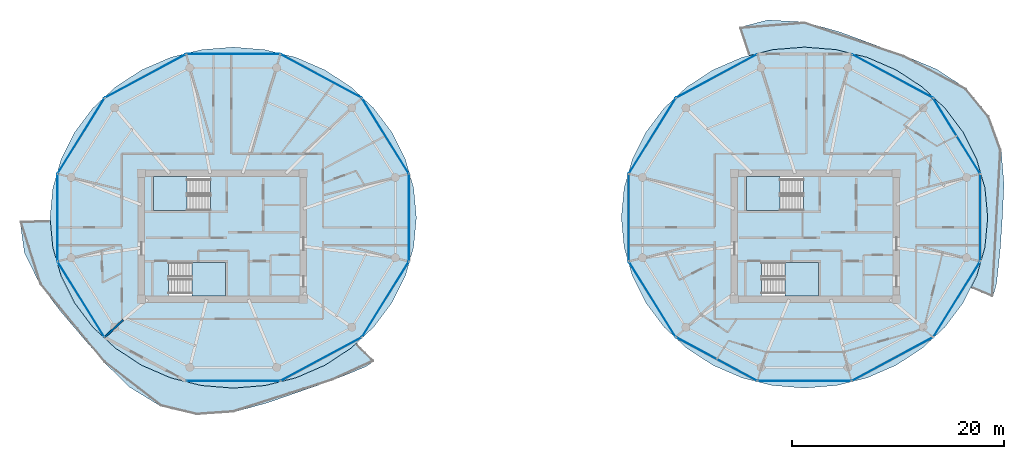
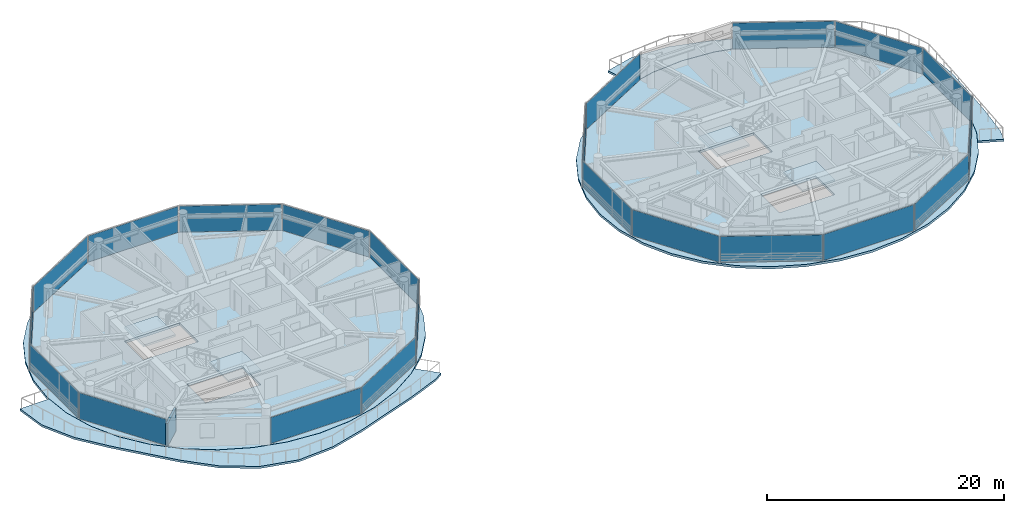
# One storey, part 11 of 22: 22 plates, 8 slabs, 1 wall, 26 elements without a shape of their own.
"""IFC4 building model written with IfcOpenShell, lengths in metres."""

import ifcopenshell
import ifcopenshell.guid

model = None  # the IFC model being written
_history = None  # IfcOwnerHistory: only IFC2X3 demands one
_inside = {}  # id of a spatial element -> (the spatial element, [elements in it])
_under = {}  # id of a project, library or spatial element -> (it, [spatial elements below it])
_declared = {}  # id of a project -> (the project, [libraries it declares])
_typed = {}  # id of a type object -> (the type object, [elements of that type])
_made_of = {}  # id of a material, layer set ... -> (it, [elements and type objects made of it])


def new_model(schema):
    """Start an empty IFC model of exactly this schema.

    Asked for "IFC4X3", IfcOpenShell would pick the latest addendum, in which some entities
    have other attributes; the version numbers below select the first issue.
    IFC2X3 requires an IfcOwnerHistory on every rooted entity: one is made here for all.
    """
    global model, _history
    if schema == "IFC4X3":
        model = ifcopenshell.file(schema_version=(4, 3, 0, 0))
    else:
        model = ifcopenshell.file(schema=schema)
    _inside.clear()
    _under.clear()
    _declared.clear()
    _typed.clear()
    _made_of.clear()
    _history = None
    if model.schema == "IFC2X3":
        org = make("IfcOrganization", Name="unknown")
        user = make(
            "IfcPersonAndOrganization",
            ThePerson=make("IfcPerson", FamilyName="unknown"),
            TheOrganization=org,
        )
        app = make(
            "IfcApplication",
            ApplicationDeveloper=org,
            Version="unknown",
            ApplicationFullName="unknown",
            ApplicationIdentifier="unknown",
        )
        _history = make(
            "IfcOwnerHistory",
            OwningUser=user,
            OwningApplication=app,
            ChangeAction="ADDED",
            CreationDate=0,
        )
    return model


def make(cls, **values):
    """One entity of the class cls with the attributes given. An attribute that is None is left unset."""
    return model.create_entity(
        cls, **{name: value for name, value in values.items() if value is not None}
    )


def rooted(cls, **values):
    """An entity with a GlobalId (a new one), such as an element, a storey or a relation."""
    return make(cls, GlobalId=ifcopenshell.guid.new(), OwnerHistory=_history, **values)


def si_unit(unit_type, name, prefix=None):
    """IfcSIUnit, for example si_unit("LENGTHUNIT", "METRE", prefix="MILLI")."""
    return make("IfcSIUnit", UnitType=unit_type, Prefix=prefix, Name=name)


def assignment(units):
    """IfcUnitAssignment: the units of a project."""
    return None if units is None else make("IfcUnitAssignment", Units=units)


def point(xyz):
    """IfcCartesianPoint."""
    return None if xyz is None else make("IfcCartesianPoint", Coordinates=xyz)


def direction(xyz):
    """IfcDirection."""
    return None if xyz is None else make("IfcDirection", DirectionRatios=xyz)


def frame(location, z_axis=None, x_axis=None):
    """IfcAxis2Placement3D, a coordinate frame: its origin and axes. An axis left out is left unset."""
    return make(
        "IfcAxis2Placement3D",
        Location=point(location),
        Axis=direction(z_axis),
        RefDirection=direction(x_axis),
    )


def frame_2d(location, x_axis=None):
    """IfcAxis2Placement2D, a coordinate frame in the plane: its origin and x axis."""
    return make(
        "IfcAxis2Placement2D", Location=point(location), RefDirection=direction(x_axis)
    )


def origin():
    """The frame at (0, 0, 0) with its axes left unset."""
    return frame((0.0, 0.0, 0.0))


def origin_2d():
    """The frame at (0, 0) in the plane with its x axis left unset."""
    return frame_2d((0.0, 0.0))


def place(relative_to, where):
    """IfcLocalPlacement: puts the frame where relative to a parent placement (None: the world)."""
    return make(
        "IfcLocalPlacement", PlacementRelTo=relative_to, RelativePlacement=where
    )


def context(
    kind, dimensions, precision=None, world=None, true_north=None, identifier=None
):
    """IfcGeometricRepresentationContext, for example the 3D "Model" context."""
    return make(
        "IfcGeometricRepresentationContext",
        ContextIdentifier=identifier,
        ContextType=kind,
        CoordinateSpaceDimension=dimensions,
        Precision=precision,
        WorldCoordinateSystem=world,
        TrueNorth=true_north,
    )


def subcontext(parent, identifier, kind, view, scale=None):
    """IfcGeometricRepresentationSubContext, for example "Body" below "Model"."""
    return make(
        "IfcGeometricRepresentationSubContext",
        ContextIdentifier=identifier,
        ContextType=kind,
        ParentContext=parent,
        TargetScale=scale,
        TargetView=view,
    )


def project(units=None, contexts=None):
    """IfcProject with its units and contexts."""
    return rooted(
        "IfcProject",
        Name="project",
        RepresentationContexts=contexts,
        UnitsInContext=assignment(units),
    )


def spatial(cls, under=None, at=None, **own):
    """A site, building, storey or space (cls), placed at a placement, below another one or the project."""
    s = rooted(cls, ObjectPlacement=at, **own)
    if under is not None:
        _under.setdefault(under.id(), (under, []))[1].append(s)
    return s


def polyline(points):
    """IfcPolyline through the points."""
    return make("IfcPolyline", Points=[point(p) for p in points])


def profile(cls, at=None, kind="AREA", **sizes):
    """A parametric profile (cls). Its sizes go by their IFC names, for example OverallWidth=200.0."""
    return make(cls, ProfileType=kind, Position=at, **sizes)


def rectangle(**sizes):
    """IfcRectangleProfileDef."""
    return profile("IfcRectangleProfileDef", **sizes)


def outline(outer, holes=None, kind="AREA"):
    """IfcArbitraryClosedProfileDef: a profile drawn as a closed curve; with holes, ...WithVoids."""
    if holes is None:
        return make("IfcArbitraryClosedProfileDef", ProfileType=kind, OuterCurve=outer)
    return make(
        "IfcArbitraryProfileDefWithVoids",
        ProfileType=kind,
        OuterCurve=outer,
        InnerCurves=holes,
    )


def extrude(swept, where, along, depth):
    """IfcExtrudedAreaSolid: the profile swept, set in the frame where, extruded along a direction by depth."""
    return make(
        "IfcExtrudedAreaSolid",
        SweptArea=swept,
        Position=where,
        ExtrudedDirection=direction(along),
        Depth=depth,
    )


def shape(context_of_items, identifier, shape_type, items):
    """IfcShapeRepresentation: the items that make up one representation, for example the "Body"."""
    return make(
        "IfcShapeRepresentation",
        ContextOfItems=context_of_items,
        RepresentationIdentifier=identifier,
        RepresentationType=shape_type,
        Items=items,
    )


def source(mapping_origin, context_of_items, identifier, shape_type, items):
    """IfcRepresentationMap: a shape defined once, which mapped items show again and again."""
    return make(
        "IfcRepresentationMap",
        MappingOrigin=mapping_origin,
        MappedRepresentation=shape(context_of_items, identifier, shape_type, items),
    )


def transform(
    local_origin,
    x_axis=None,
    y_axis=None,
    z_axis=None,
    scale=None,
    scale2=None,
    scale3=None,
    uniform=True,
):
    """IfcCartesianTransformationOperator3D, or its non-uniform kind. x_axis, y_axis, z_axis: its Axis1, 2, 3."""
    if uniform:
        return make(
            "IfcCartesianTransformationOperator3D",
            Axis1=direction(x_axis),
            Axis2=direction(y_axis),
            LocalOrigin=point(local_origin),
            Scale=scale,
            Axis3=direction(z_axis),
        )
    return make(
        "IfcCartesianTransformationOperator3DnonUniform",
        Axis1=direction(x_axis),
        Axis2=direction(y_axis),
        LocalOrigin=point(local_origin),
        Scale=scale,
        Axis3=direction(z_axis),
        Scale2=scale2,
        Scale3=scale3,
    )


def mapped(mapping_source, mapping_target):
    """IfcMappedItem: shows the shape of a source again, moved by a transform."""
    return make(
        "IfcMappedItem", MappingSource=mapping_source, MappingTarget=mapping_target
    )


def material(Name=None, Category=None):
    """IfcMaterial."""
    return make("IfcMaterial", Name=Name, Category=Category)


def layer(
    of_material, thickness, ventilated=None, Name=None, Category=None, Priority=None
):
    """IfcMaterialLayer: one layer of a wall or slab, of a material (None: an air gap)."""
    return make(
        "IfcMaterialLayer",
        Material=of_material,
        LayerThickness=thickness,
        IsVentilated=ventilated,
        Name=Name,
        Category=Category,
        Priority=Priority,
    )


def layer_set(layers, Name=None):
    """IfcMaterialLayerSet."""
    return make("IfcMaterialLayerSet", MaterialLayers=layers, LayerSetName=Name)


def made_of(thing, what):
    """Note that an element or type object is made of a material, layer set ...; save() writes the relation."""
    if what is not None:
        _made_of.setdefault(what.id(), (what, []))[1].append(thing)
    return thing


def type_object(cls, material=None, **own):
    """A type object (cls), such as IfcWallType, which elements share."""
    return made_of(rooted(cls, **own), material)


def type_shapes(of_type, sources):
    """Give a type object the sources (RepresentationMaps) that its elements show as mapped items."""
    of_type.RepresentationMaps = sources


def element(
    cls,
    number,
    at=None,
    inside=None,
    cuts=None,
    type_object=None,
    material=None,
    context=None,
    identifier="Body",
    shape_type=None,
    held_by="IfcProductDefinitionShape",
    body=None,
    shapes=None,
    **own,
):
    """One element of the class cls, such as IfcWall. Its Tag is "e" and its number.

    at: its placement. inside: the storey or other place that contains it. cuts: it is an
    opening in that element (IfcRelVoidsElement). A single representation is given by context,
    identifier, shape_type and body (its items); several are given by shapes. held_by: the class
    of the entity that holds the representations. save() writes the other relations.
    """
    e = rooted(cls, Tag="e%d" % number, ObjectPlacement=at, **own)
    if body is not None:
        shapes = [shape(context, identifier, shape_type, body)]
    if shapes is not None:
        e.Representation = make(held_by, Representations=shapes)
    if inside is not None:
        _inside.setdefault(inside.id(), (inside, []))[1].append(e)
    if cuts is not None:
        rooted(
            "IfcRelVoidsElement", RelatingBuildingElement=cuts, RelatedOpeningElement=e
        )
    if type_object is not None:
        _typed.setdefault(type_object.id(), (type_object, []))[1].append(e)
    return made_of(e, material)


def aggregate(whole, parts):
    """IfcRelAggregates: a whole, such as a stair, and the parts it consists of."""
    return rooted("IfcRelAggregates", RelatingObject=whole, RelatedObjects=parts)


def save(model, path):
    """Write the relations noted so far, then the file.

    IfcRelAggregates (storeys below a building ...), IfcRelContainedInSpatialStructure (elements
    in a storey), IfcRelDefinesByType, IfcRelAssociatesMaterial and IfcRelDeclares: one each for
    every whole, place, type object, material and project.
    """
    for whole, parts in _under.values():
        aggregate(whole, parts)
    for where, things in _inside.values():
        rooted(
            "IfcRelContainedInSpatialStructure",
            RelatedElements=things,
            RelatingStructure=where,
        )
    for kind, things in _typed.values():
        rooted("IfcRelDefinesByType", RelatedObjects=things, RelatingType=kind)
    for what, things in _made_of.values():
        rooted("IfcRelAssociatesMaterial", RelatedObjects=things, RelatingMaterial=what)
    for by, libraries in _declared.values():
        rooted("IfcRelDeclares", RelatingContext=by, RelatedDefinitions=libraries)
    model.write(path)


model = new_model("IFC4")

# Units and contexts
model_context = context("Model", 3, precision=1e-05, world=origin(), true_north=direction((0.0, 1.0)))
body_context = subcontext(model_context, "Body", "Model", "MODEL_VIEW")
ifc_project = project(units=[si_unit("LENGTHUNIT", "METRE"), si_unit("AREAUNIT", "SQUARE_METRE"), si_unit("VOLUMEUNIT", "CUBIC_METRE"), si_unit("PLANEANGLEUNIT", "RADIAN"), si_unit("MASSUNIT", "GRAM", prefix="KILO")], contexts=[model_context])

# Site, building, storey
site_placement = place(None, origin())
site = spatial("IfcSite", under=ifc_project, at=site_placement, CompositionType="ELEMENT")
building_placement = place(site_placement, origin())
building = spatial("IfcBuilding", under=site, at=building_placement, Name="Norrkilde Senior Care Towers", CompositionType="ELEMENT")
storey_placement = place(building_placement, frame((0.0, 0.0, 170.89990234375)))
storey = spatial("IfcBuildingStorey", under=building, at=storey_placement, Name="L53", CompositionType="ELEMENT", Elevation=170.89990234375)

# Slabs
ifc_material_1 = material(Name="Concrete C50/60", Category="concrete")
ifc_layer_1 = layer(ifc_material_1, 0.215087890625)
ifc_layer_set_1 = layer_set([ifc_layer_1], Name="Concrete C50/60")
slab_type_1 = type_object("IfcSlabType", Name="Sinusoidal Balcony Ribbon Slab 215", PredefinedType="FLOOR", material=ifc_layer_set_1)
slab_1_placement = place(storey_placement, frame((0.0, 0.0, -0.21484375)))
element("IfcSlab", 1, at=slab_1_placement, inside=storey, type_object=slab_type_1, Name="L53 Drum W Swirling Senior Balcony 1", PredefinedType="FLOOR", context=body_context, shape_type="SweptSolid", body=[
    extrude(outline(polyline([(-17.564697265625, -13.582763671875), (-20.624755859375, -14.6328125), (-23.7041015625, -15.7060546875), (-26.97509765625, -16.61083984375), (-30.43408203125, -16.852294921875), (-33.80419921875, -16.046875), (-36.744140625, -14.25048828125), (-39.150390625, -11.9091796875), (-41.23583984375, -9.482666015625), (-43.273681640625, -7.09130859375), (-45.23583984375, -4.51513671875), (-46.699951171875, -1.529541015625), (-47.11181640625, 1.44189453125), (-44.253173828125, 1.4892578125), (-44.01708984375, -1.021240234375), (-43.236328125, -3.73291015625), (-41.961669921875, -6.277099609375), (-40.2314453125, -8.57666015625), (-38.098388671875, -10.561767578125), (-35.62744140625, -12.171875), (-32.8935546875, -13.3583984375), (-29.97998046875, -14.0849609375), (-26.97509765625, -14.32958984375), (-23.969970703125, -14.0849609375), (-21.056396484375, -13.3583984375), (-18.322509765625, -12.171875), (-15.8515625, -10.561767578125), (-15.326416015625, -10.072998046875), (-13.657958984375, -11.77001953125), (-14.48046875, -12.31787109375), (-17.564697265625, -13.582763671875)])), origin(), (0.0, 0.0, 1.0), 0.21484375),
])
slab_2_placement = place(storey_placement, frame((0.0, 0.0, -0.21484375)))
element("IfcSlab", 2, at=slab_2_placement, inside=storey, type_object=slab_type_1, Name="L53 Drum E Swirling Senior Balcony 1", PredefinedType="FLOOR", context=body_context, shape_type="SweptSolid", body=[
    extrude(outline(polyline([(44.751953125, -5.731689453125), (42.67431640625, -4.8544921875), (43.236328125, -3.73291015625), (44.01708984375, -1.021240234375), (44.280029296875, 1.775390625), (44.01708984375, 4.572021484375), (43.236328125, 7.28369140625), (41.961669921875, 9.827880859375), (40.2314453125, 12.12744140625), (38.098388671875, 14.112548828125), (35.62744140625, 15.72265625), (32.8935546875, 16.9091796875), (29.97998046875, 17.6357421875), (26.97509765625, 17.88037109375), (23.969970703125, 17.6357421875), (21.73291015625, 17.077880859375), (20.82177734375, 19.738037109375), (23.510498046875, 20.436767578125), (26.97509765625, 20.23974609375), (30.256591796875, 19.322509765625), (33.327392578125, 18.190185546875), (36.358154296875, 17.0830078125), (39.419677734375, 15.804931640625), (42.25927734375, 13.9560546875), (44.4072265625, 11.34521484375), (45.549560546875, 8.1884765625), (45.814697265625, 4.91259765625), (45.662841796875, 1.775390625), (45.454345703125, -1.293701171875), (45.1103515625, -4.4658203125), (44.751953125, -5.731689453125)])), origin(), (0.0, 0.0, 1.0), 0.21484375),
])

# Stair, slab
ifc_material_2 = material(Name="Concrete C45/55", Category="concrete")
stair_type = type_object("IfcStairType", Name="Core Protected Dogleg Stair Typical 3050", PredefinedType="HALF_TURN_STAIR", material=ifc_material_2)
stair_1_placement = place(storey_placement, origin())
stair_1 = element("IfcStair", 3, at=stair_1_placement, inside=storey, type_object=stair_type, Name="L53 Protected Core Stair W1", PredefinedType="HALF_TURN_STAIR")
ifc_layer_2 = layer(ifc_material_2, 0.199951171875)
ifc_layer_set_2 = layer_set([ifc_layer_2], Name="Concrete C45/55")
slab_type_2 = type_object("IfcSlabType", Name="Stair Landing Slab 200", PredefinedType="LANDING", material=ifc_layer_set_2)
slab_3_placement = place(storey_placement, frame((0.0, 0.0, 1.3251953125)))
slab_3 = element("IfcSlab", 4, at=slab_3_placement, type_object=slab_type_2, Name="ST-W1 landing 1", PredefinedType="LANDING", context=body_context, shape_type="SweptSolid", body=[
    extrude(outline(polyline([(-31.340087890625, 5.639892578125), (-34.5, 5.639892578125), (-34.5, 2.449951171875), (-31.340087890625, 2.449951171875), (-31.340087890625, 5.639892578125)])), origin(), (0.0, 0.0, 1.0), 0.199951171875),
])
aggregate(stair_1, [slab_3])

stair_2_placement = place(storey_placement, origin())
stair_2 = element("IfcStair", 5, at=stair_2_placement, inside=storey, type_object=stair_type, Name="L53 Protected Core Stair W2", PredefinedType="HALF_TURN_STAIR")
slab_4_placement = place(storey_placement, frame((0.0, 0.0, 1.3251953125)))
slab_4 = element("IfcSlab", 6, at=slab_4_placement, type_object=slab_type_2, Name="ST-W2 landing 1", PredefinedType="LANDING", context=body_context, shape_type="SweptSolid", body=[
    extrude(outline(polyline([(-30.860107421875, -5.639892578125), (-27.699951171875, -5.639892578125), (-27.699951171875, -2.449951171875), (-30.860107421875, -2.449951171875), (-30.860107421875, -5.639892578125)])), origin(), (0.0, 0.0, 1.0), 0.199951171875),
])
aggregate(stair_2, [slab_4])

stair_3_placement = place(storey_placement, origin())
stair_3 = element("IfcStair", 7, at=stair_3_placement, inside=storey, type_object=stair_type, Name="L53 Protected Core Stair E1", PredefinedType="HALF_TURN_STAIR")
slab_5_placement = place(storey_placement, frame((0.0, 0.0, 1.3251953125)))
slab_5 = element("IfcSlab", 8, at=slab_5_placement, type_object=slab_type_2, Name="ST-E1 landing 1", PredefinedType="LANDING", context=body_context, shape_type="SweptSolid", body=[
    extrude(outline(polyline([(24.659912109375, 5.639892578125), (21.5, 5.639892578125), (21.5, 2.449951171875), (24.659912109375, 2.449951171875), (24.659912109375, 5.639892578125)])), origin(), (0.0, 0.0, 1.0), 0.199951171875),
])
aggregate(stair_3, [slab_5])

stair_4_placement = place(storey_placement, origin())
stair_4 = element("IfcStair", 9, at=stair_4_placement, inside=storey, type_object=stair_type, Name="L53 Protected Core Stair E2", PredefinedType="HALF_TURN_STAIR")
slab_6_placement = place(storey_placement, frame((0.0, 0.0, 1.3251953125)))
slab_6 = element("IfcSlab", 10, at=slab_6_placement, type_object=slab_type_2, Name="ST-E2 landing 1", PredefinedType="LANDING", context=body_context, shape_type="SweptSolid", body=[
    extrude(outline(polyline([(25.139892578125, -5.639892578125), (28.300048828125, -5.639892578125), (28.300048828125, -2.449951171875), (25.139892578125, -2.449951171875), (25.139892578125, -5.639892578125)])), origin(), (0.0, 0.0, 1.0), 0.199951171875),
])
aggregate(stair_4, [slab_6])

# Slabs
ifc_layer_3 = layer(ifc_material_1, 0.239990234375)
ifc_layer_set_3 = layer_set([ifc_layer_3], Name="Concrete C50/60")
slab_type_3 = type_object("IfcSlabType", Name="Tower Residence Floor Slab 240", PredefinedType="FLOOR", material=ifc_layer_set_3)
slab_7_placement = place(storey_placement, frame((0.0, 0.0, -0.239990234375)))
element("IfcSlab", 11, at=slab_7_placement, inside=storey, type_object=slab_type_3, Name="L53 Drum W Structural Floor Slab", PredefinedType="FLOOR", context=body_context, shape_type="SweptSolid", body=[
    extrude(outline(polyline([(-10.71826171875, -3.731201171875), (-11.99267578125, -6.274658203125), (-13.722412109375, -8.573486328125), (-15.854736328125, -10.557861328125), (-18.324951171875, -12.167724609375), (-21.05810546875, -13.353759765625), (-23.970947265625, -14.080078125), (-26.97509765625, -14.32470703125), (-29.97900390625, -14.080078125), (-32.891845703125, -13.353759765625), (-35.625, -12.167724609375), (-38.09521484375, -10.557861328125), (-40.2275390625, -8.573486328125), (-41.957275390625, -6.274658203125), (-43.231689453125, -3.731201171875), (-44.01220703125, -1.020263671875), (-44.27490234375, 1.775390625), (-44.01220703125, 4.571044921875), (-43.231689453125, 7.281982421875), (-41.957275390625, 9.825439453125), (-40.2275390625, 12.124267578125), (-38.09521484375, 14.108642578125), (-35.625, 15.71826171875), (-32.891845703125, 16.904296875), (-29.97900390625, 17.630859375), (-26.97509765625, 17.875244140625), (-23.970947265625, 17.630859375), (-21.05810546875, 16.904296875), (-18.324951171875, 15.71826171875), (-15.854736328125, 14.108642578125), (-13.722412109375, 12.124267578125), (-11.99267578125, 9.825439453125), (-10.71826171875, 7.281982421875), (-9.937744140625, 4.571044921875), (-9.675048828125, 1.775390625), (-9.937744140625, -1.020263671875), (-10.71826171875, -3.731201171875)]), holes=[polyline([(-34.48193359375, 2.468017578125), (-29.117919921875, 2.468017578125), (-29.117919921875, 5.639892578125), (-34.48193359375, 5.639892578125), (-34.48193359375, 2.468017578125)]), polyline([(-27.718017578125, -5.639892578125), (-27.718017578125, -2.468017578125), (-33.08203125, -2.468017578125), (-33.08203125, -5.639892578125), (-27.718017578125, -5.639892578125)])]), origin(), (0.0, 0.0, 1.0), 0.239990234375),
])
slab_8_placement = place(storey_placement, frame((0.0, 0.0, -0.239990234375)))
element("IfcSlab", 12, at=slab_8_placement, inside=storey, type_object=slab_type_3, Name="L53 Drum E Structural Floor Slab", PredefinedType="FLOOR", context=body_context, shape_type="SweptSolid", body=[
    extrude(outline(polyline([(43.231689453125, -3.731201171875), (41.957275390625, -6.274658203125), (40.2275390625, -8.573486328125), (38.09521484375, -10.557861328125), (35.625, -12.167724609375), (32.891845703125, -13.353759765625), (29.97900390625, -14.080078125), (26.97509765625, -14.32470703125), (23.970947265625, -14.080078125), (21.05810546875, -13.353759765625), (18.324951171875, -12.167724609375), (15.854736328125, -10.557861328125), (13.722412109375, -8.573486328125), (11.99267578125, -6.274658203125), (10.71826171875, -3.731201171875), (9.937744140625, -1.020263671875), (9.675048828125, 1.775390625), (9.937744140625, 4.571044921875), (10.71826171875, 7.281982421875), (11.99267578125, 9.825439453125), (13.722412109375, 12.124267578125), (15.854736328125, 14.108642578125), (18.324951171875, 15.71826171875), (21.05810546875, 16.904296875), (23.970947265625, 17.630859375), (26.97509765625, 17.875244140625), (29.97900390625, 17.630859375), (32.891845703125, 16.904296875), (35.625, 15.71826171875), (38.09521484375, 14.108642578125), (40.2275390625, 12.124267578125), (41.957275390625, 9.825439453125), (43.231689453125, 7.281982421875), (44.01220703125, 4.571044921875), (44.27490234375, 1.775390625), (44.01220703125, -1.020263671875), (43.231689453125, -3.731201171875)]), holes=[polyline([(21.51806640625, 2.468017578125), (26.882080078125, 2.468017578125), (26.882080078125, 5.639892578125), (21.51806640625, 5.639892578125), (21.51806640625, 2.468017578125)]), polyline([(28.281982421875, -5.639892578125), (28.281982421875, -2.468017578125), (22.91796875, -2.468017578125), (22.91796875, -5.639892578125), (28.281982421875, -5.639892578125)])]), origin(), (0.0, 0.0, 1.0), 0.239990234375),
])

# Curtain wall, plate
ifc_material_3 = material(Name="Triple Low-E Insulated Glazing", Category="glass")
ifc_layer_4 = layer(ifc_material_3, 0.18994140625)
ifc_layer_set_4 = layer_set([ifc_layer_4], Name="Triple Low-E Insulated Glazing")
curtain_wall_type = type_object("IfcCurtainWallType", Name="CW4 Zone 3 Senior Residence Curtain Wall", PredefinedType="NOTDEFINED", material=ifc_layer_set_4)
curtain_wall_1_placement = place(storey_placement, origin())
curtain_wall_1 = element("IfcCurtainWall", 13, at=curtain_wall_1_placement, inside=storey, type_object=curtain_wall_type, Name="L53 Drum W Curtain Wall 00", PredefinedType="NOTDEFINED")
ifc_layer_5 = layer(ifc_material_3, 0.035888671875)
ifc_layer_set_5 = layer_set([ifc_layer_5], Name="Triple Low-E Insulated Glazing")
plate_type = type_object("IfcPlateType", Name="Triple Low-E Vision Curtain Panel 36", PredefinedType="CURTAIN_PANEL", material=ifc_layer_set_5)
shared_shape_1 = source(origin(), body_context, "Body", "SweptSolid", [
    extrude(rectangle(XDim=8.301513671875, YDim=0.035888671875, at=origin_2d()), origin(), (0.0, 0.0, 1.0), 2.68994140625),
])
plate_1_placement = place(storey_placement, frame((-12.603759765625, 9.4931640625, 0.06005859375), z_axis=(0.0, 0.0, 1.0), x_axis=(0.52737270789, -0.84963405474, 0.0)))
plate_1 = element("IfcPlate", 14, at=plate_1_placement, type_object=plate_type, Name="CW-4 panel 1.1", PredefinedType="CURTAIN_PANEL", context=body_context, shape_type="MappedRepresentation", body=[
    mapped(shared_shape_1, transform((0.0, 0.0, 0.0), x_axis=(1.0, 0.0, 0.0), y_axis=(0.0, 1.0, 0.0), z_axis=(0.0, 0.0, 1.0), scale=1.0)),
])
aggregate(curtain_wall_1, [plate_1])

curtain_wall_2_placement = place(storey_placement, origin())
curtain_wall_2 = element("IfcCurtainWall", 15, at=curtain_wall_2_placement, inside=storey, type_object=curtain_wall_type, Name="L53 Drum W Curtain Wall 04", PredefinedType="NOTDEFINED")
plate_2_placement = place(storey_placement, frame((-41.346435546875, 9.4931640625, 0.06005859375), z_axis=(0.0, 0.0, 1.0), x_axis=(0.52737270789, 0.84963405474, 0.0)))
plate_2 = element("IfcPlate", 16, at=plate_2_placement, type_object=plate_type, Name="CW-4 panel 1.1", PredefinedType="CURTAIN_PANEL", context=body_context, shape_type="MappedRepresentation", body=[
    mapped(shared_shape_1, transform((0.0, 0.0, 0.0), x_axis=(1.0, 0.0, 0.0), y_axis=(0.0, 1.0, 0.0), z_axis=(0.0, 0.0, 1.0), scale=1.0)),
])
aggregate(curtain_wall_2, [plate_2])

curtain_wall_3_placement = place(storey_placement, origin())
curtain_wall_3 = element("IfcCurtainWall", 17, at=curtain_wall_3_placement, inside=storey, type_object=curtain_wall_type, Name="L53 Drum W Curtain Wall 06", PredefinedType="NOTDEFINED")
plate_3_placement = place(storey_placement, frame((-41.346435546875, -5.9423828125, 0.06005859375), z_axis=(0.0, 0.0, 1.0), x_axis=(-0.52737270789, 0.84963405474, 0.0)))
plate_3 = element("IfcPlate", 18, at=plate_3_placement, type_object=plate_type, Name="CW-4 panel 1.1", PredefinedType="CURTAIN_PANEL", context=body_context, shape_type="MappedRepresentation", body=[
    mapped(shared_shape_1, transform((0.0, 0.0, 0.0), x_axis=(1.0, 0.0, 0.0), y_axis=(0.0, 1.0, 0.0), z_axis=(0.0, 0.0, 1.0), scale=1.0)),
])
aggregate(curtain_wall_3, [plate_3])

curtain_wall_4_placement = place(storey_placement, origin())
curtain_wall_4 = element("IfcCurtainWall", 19, at=curtain_wall_4_placement, inside=storey, type_object=curtain_wall_type, Name="L53 Drum W Curtain Wall 10", PredefinedType="NOTDEFINED")
plate_4_placement = place(storey_placement, frame((-12.603759765625, -5.9423828125, 0.06005859375), z_axis=(0.0, 0.0, 1.0), x_axis=(-0.52737270789, -0.84963405474, 0.0)))
plate_4 = element("IfcPlate", 20, at=plate_4_placement, type_object=plate_type, Name="CW-4 panel 1.1", PredefinedType="CURTAIN_PANEL", context=body_context, shape_type="MappedRepresentation", body=[
    mapped(shared_shape_1, transform((0.0, 0.0, 0.0), x_axis=(1.0, 0.0, 0.0), y_axis=(0.0, 1.0, 0.0), z_axis=(0.0, 0.0, 1.0), scale=1.0)),
])
aggregate(curtain_wall_4, [plate_4])

curtain_wall_5_placement = place(storey_placement, origin())
curtain_wall_5 = element("IfcCurtainWall", 21, at=curtain_wall_5_placement, inside=storey, type_object=curtain_wall_type, Name="L53 Drum E Curtain Wall 00", PredefinedType="NOTDEFINED")
plate_5_placement = place(storey_placement, frame((41.346435546875, 9.4931640625, 0.06005859375), z_axis=(0.0, 0.0, 1.0), x_axis=(0.52737270789, -0.84963405474, 0.0)))
plate_5 = element("IfcPlate", 22, at=plate_5_placement, type_object=plate_type, Name="CW-4 panel 1.1", PredefinedType="CURTAIN_PANEL", context=body_context, shape_type="MappedRepresentation", body=[
    mapped(shared_shape_1, transform((0.0, 0.0, 0.0), x_axis=(1.0, 0.0, 0.0), y_axis=(0.0, 1.0, 0.0), z_axis=(0.0, 0.0, 1.0), scale=1.0)),
])
aggregate(curtain_wall_5, [plate_5])

curtain_wall_6_placement = place(storey_placement, origin())
curtain_wall_6 = element("IfcCurtainWall", 23, at=curtain_wall_6_placement, inside=storey, type_object=curtain_wall_type, Name="L53 Drum E Curtain Wall 04", PredefinedType="NOTDEFINED")
plate_6_placement = place(storey_placement, frame((12.603759765625, 9.4931640625, 0.06005859375), z_axis=(0.0, 0.0, 1.0), x_axis=(0.52737270789, 0.84963405474, 0.0)))
plate_6 = element("IfcPlate", 24, at=plate_6_placement, type_object=plate_type, Name="CW-4 panel 1.1", PredefinedType="CURTAIN_PANEL", context=body_context, shape_type="MappedRepresentation", body=[
    mapped(shared_shape_1, transform((0.0, 0.0, 0.0), x_axis=(1.0, 0.0, 0.0), y_axis=(0.0, 1.0, 0.0), z_axis=(0.0, 0.0, 1.0), scale=1.0)),
])
aggregate(curtain_wall_6, [plate_6])

curtain_wall_7_placement = place(storey_placement, origin())
curtain_wall_7 = element("IfcCurtainWall", 25, at=curtain_wall_7_placement, inside=storey, type_object=curtain_wall_type, Name="L53 Drum E Curtain Wall 06", PredefinedType="NOTDEFINED")
plate_7_placement = place(storey_placement, frame((12.603759765625, -5.9423828125, 0.06005859375), z_axis=(0.0, 0.0, 1.0), x_axis=(-0.52737270789, 0.84963405474, 0.0)))
plate_7 = element("IfcPlate", 26, at=plate_7_placement, type_object=plate_type, Name="CW-4 panel 1.1", PredefinedType="CURTAIN_PANEL", context=body_context, shape_type="MappedRepresentation", body=[
    mapped(shared_shape_1, transform((0.0, 0.0, 0.0), x_axis=(1.0, 0.0, 0.0), y_axis=(0.0, 1.0, 0.0), z_axis=(0.0, 0.0, 1.0), scale=1.0)),
])
aggregate(curtain_wall_7, [plate_7])

curtain_wall_8_placement = place(storey_placement, origin())
curtain_wall_8 = element("IfcCurtainWall", 27, at=curtain_wall_8_placement, inside=storey, type_object=curtain_wall_type, Name="L53 Drum E Curtain Wall 10", PredefinedType="NOTDEFINED")
plate_8_placement = place(storey_placement, frame((41.346435546875, -5.9423828125, 0.06005859375), z_axis=(0.0, 0.0, 1.0), x_axis=(-0.52737270789, -0.84963405474, 0.0)))
plate_8 = element("IfcPlate", 28, at=plate_8_placement, type_object=plate_type, Name="CW-4 panel 1.1", PredefinedType="CURTAIN_PANEL", context=body_context, shape_type="MappedRepresentation", body=[
    mapped(shared_shape_1, transform((0.0, 0.0, 0.0), x_axis=(1.0, 0.0, 0.0), y_axis=(0.0, 1.0, 0.0), z_axis=(0.0, 0.0, 1.0), scale=1.0)),
])
aggregate(curtain_wall_8, [plate_8])

curtain_wall_9_placement = place(storey_placement, origin())
curtain_wall_9 = element("IfcCurtainWall", 29, at=curtain_wall_9_placement, inside=storey, type_object=curtain_wall_type, Name="L53 Drum W Curtain Wall 01", PredefinedType="NOTDEFINED")
shared_shape_2 = source(origin(), body_context, "Body", "SweptSolid", [
    extrude(rectangle(XDim=8.61181640625, YDim=0.035888671875, at=origin_2d()), origin(), (0.0, 0.0, 1.0), 2.68994140625),
])
plate_9_placement = place(storey_placement, frame((-18.677734375, 15.142822265625, 0.06005859375), z_axis=(0.0, 0.0, 1.0), x_axis=(0.880999524059, -0.47311715104, 0.0)))
plate_9 = element("IfcPlate", 30, at=plate_9_placement, type_object=plate_type, Name="CW-4 panel 1.1", PredefinedType="CURTAIN_PANEL", context=body_context, shape_type="MappedRepresentation", body=[
    mapped(shared_shape_2, transform((0.0, 0.0, 0.0), x_axis=(1.0, 0.0, 0.0), y_axis=(0.0, 1.0, 0.0), z_axis=(0.0, 0.0, 1.0), scale=1.0)),
])
aggregate(curtain_wall_9, [plate_9])

curtain_wall_10_placement = place(storey_placement, origin())
curtain_wall_10 = element("IfcCurtainWall", 31, at=curtain_wall_10_placement, inside=storey, type_object=curtain_wall_type, Name="L53 Drum W Curtain Wall 03", PredefinedType="NOTDEFINED")
plate_10_placement = place(storey_placement, frame((-35.272216796875, 15.142822265625, 0.06005859375), z_axis=(0.0, 0.0, 1.0), x_axis=(0.880999524059, 0.47311715104, 0.0)))
plate_10 = element("IfcPlate", 32, at=plate_10_placement, type_object=plate_type, Name="CW-4 panel 1.1", PredefinedType="CURTAIN_PANEL", context=body_context, shape_type="MappedRepresentation", body=[
    mapped(shared_shape_2, transform((0.0, 0.0, 0.0), x_axis=(1.0, 0.0, 0.0), y_axis=(0.0, 1.0, 0.0), z_axis=(0.0, 0.0, 1.0), scale=1.0)),
])
aggregate(curtain_wall_10, [plate_10])

curtain_wall_11_placement = place(storey_placement, origin())
curtain_wall_11 = element("IfcCurtainWall", 33, at=curtain_wall_11_placement, inside=storey, type_object=curtain_wall_type, Name="L53 Drum W Curtain Wall 09", PredefinedType="NOTDEFINED")
plate_11_placement = place(storey_placement, frame((-18.677734375, -11.59228515625, 0.06005859375), z_axis=(0.0, 0.0, 1.0), x_axis=(-0.880999524059, -0.47311715104, 0.0)))
plate_11 = element("IfcPlate", 34, at=plate_11_placement, type_object=plate_type, Name="CW-4 panel 1.1", PredefinedType="CURTAIN_PANEL", context=body_context, shape_type="MappedRepresentation", body=[
    mapped(shared_shape_2, transform((0.0, 0.0, 0.0), x_axis=(1.0, 0.0, 0.0), y_axis=(0.0, 1.0, 0.0), z_axis=(0.0, 0.0, 1.0), scale=1.0)),
])
aggregate(curtain_wall_11, [plate_11])

curtain_wall_12_placement = place(storey_placement, origin())
curtain_wall_12 = element("IfcCurtainWall", 35, at=curtain_wall_12_placement, inside=storey, type_object=curtain_wall_type, Name="L53 Drum E Curtain Wall 01", PredefinedType="NOTDEFINED")
plate_12_placement = place(storey_placement, frame((35.272216796875, 15.142822265625, 0.06005859375), z_axis=(0.0, 0.0, 1.0), x_axis=(0.880999524059, -0.47311715104, 0.0)))
plate_12 = element("IfcPlate", 36, at=plate_12_placement, type_object=plate_type, Name="CW-4 panel 1.1", PredefinedType="CURTAIN_PANEL", context=body_context, shape_type="MappedRepresentation", body=[
    mapped(shared_shape_2, transform((0.0, 0.0, 0.0), x_axis=(1.0, 0.0, 0.0), y_axis=(0.0, 1.0, 0.0), z_axis=(0.0, 0.0, 1.0), scale=1.0)),
])
aggregate(curtain_wall_12, [plate_12])

curtain_wall_13_placement = place(storey_placement, origin())
curtain_wall_13 = element("IfcCurtainWall", 37, at=curtain_wall_13_placement, inside=storey, type_object=curtain_wall_type, Name="L53 Drum E Curtain Wall 03", PredefinedType="NOTDEFINED")
plate_13_placement = place(storey_placement, frame((18.677734375, 15.142822265625, 0.06005859375), z_axis=(0.0, 0.0, 1.0), x_axis=(0.880999524059, 0.47311715104, 0.0)))
plate_13 = element("IfcPlate", 38, at=plate_13_placement, type_object=plate_type, Name="CW-4 panel 1.1", PredefinedType="CURTAIN_PANEL", context=body_context, shape_type="MappedRepresentation", body=[
    mapped(shared_shape_2, transform((0.0, 0.0, 0.0), x_axis=(1.0, 0.0, 0.0), y_axis=(0.0, 1.0, 0.0), z_axis=(0.0, 0.0, 1.0), scale=1.0)),
])
aggregate(curtain_wall_13, [plate_13])

curtain_wall_14_placement = place(storey_placement, origin())
curtain_wall_14 = element("IfcCurtainWall", 39, at=curtain_wall_14_placement, inside=storey, type_object=curtain_wall_type, Name="L53 Drum E Curtain Wall 07", PredefinedType="NOTDEFINED")
plate_14_placement = place(storey_placement, frame((18.677734375, -11.59228515625, 0.06005859375), z_axis=(0.0, 0.0, 1.0), x_axis=(-0.880999524059, 0.47311715104, 0.0)))
plate_14 = element("IfcPlate", 40, at=plate_14_placement, type_object=plate_type, Name="CW-4 panel 1.1", PredefinedType="CURTAIN_PANEL", context=body_context, shape_type="MappedRepresentation", body=[
    mapped(shared_shape_2, transform((0.0, 0.0, 0.0), x_axis=(1.0, 0.0, 0.0), y_axis=(0.0, 1.0, 0.0), z_axis=(0.0, 0.0, 1.0), scale=1.0)),
])
aggregate(curtain_wall_14, [plate_14])

curtain_wall_15_placement = place(storey_placement, origin())
curtain_wall_15 = element("IfcCurtainWall", 41, at=curtain_wall_15_placement, inside=storey, type_object=curtain_wall_type, Name="L53 Drum E Curtain Wall 09", PredefinedType="NOTDEFINED")
plate_15_placement = place(storey_placement, frame((35.272216796875, -11.59228515625, 0.06005859375), z_axis=(0.0, 0.0, 1.0), x_axis=(-0.880999524059, -0.47311715104, 0.0)))
plate_15 = element("IfcPlate", 42, at=plate_15_placement, type_object=plate_type, Name="CW-4 panel 1.1", PredefinedType="CURTAIN_PANEL", context=body_context, shape_type="MappedRepresentation", body=[
    mapped(shared_shape_2, transform((0.0, 0.0, 0.0), x_axis=(1.0, 0.0, 0.0), y_axis=(0.0, 1.0, 0.0), z_axis=(0.0, 0.0, 1.0), scale=1.0)),
])
aggregate(curtain_wall_15, [plate_15])

curtain_wall_16_placement = place(storey_placement, origin())
curtain_wall_16 = element("IfcCurtainWall", 43, at=curtain_wall_16_placement, inside=storey, type_object=curtain_wall_type, Name="L53 Drum W Curtain Wall 02", PredefinedType="NOTDEFINED")
shared_shape_3 = source(origin(), body_context, "Body", "SweptSolid", [
    extrude(rectangle(XDim=8.762939453125, YDim=0.035888671875, at=origin_2d()), origin(), (0.0, 0.0, 1.0), 2.68994140625),
])
plate_16_placement = place(storey_placement, frame((-26.97509765625, 17.2109375, 0.06005859375), z_axis=(0.0, 0.0, 1.0), x_axis=(1.0, 0.0, 0.0)))
plate_16 = element("IfcPlate", 44, at=plate_16_placement, type_object=plate_type, Name="CW-4 panel 1.1", PredefinedType="CURTAIN_PANEL", context=body_context, shape_type="MappedRepresentation", body=[
    mapped(shared_shape_3, transform((0.0, 0.0, 0.0), x_axis=(1.0, 0.0, 0.0), y_axis=(0.0, 1.0, 0.0), z_axis=(0.0, 0.0, 1.0), scale=1.0)),
])
aggregate(curtain_wall_16, [plate_16])

curtain_wall_17_placement = place(storey_placement, origin())
curtain_wall_17 = element("IfcCurtainWall", 45, at=curtain_wall_17_placement, inside=storey, type_object=curtain_wall_type, Name="L53 Drum W Curtain Wall 08", PredefinedType="NOTDEFINED")
plate_17_placement = place(storey_placement, frame((-26.97509765625, -13.66015625, 0.06005859375), z_axis=(0.0, 0.0, 1.0), x_axis=(-1.0, 0.0, 0.0)))
plate_17 = element("IfcPlate", 46, at=plate_17_placement, type_object=plate_type, Name="CW-4 panel 1.1", PredefinedType="CURTAIN_PANEL", context=body_context, shape_type="MappedRepresentation", body=[
    mapped(shared_shape_3, transform((0.0, 0.0, 0.0), x_axis=(1.0, 0.0, 0.0), y_axis=(0.0, 1.0, 0.0), z_axis=(0.0, 0.0, 1.0), scale=1.0)),
])
aggregate(curtain_wall_17, [plate_17])

curtain_wall_18_placement = place(storey_placement, origin())
curtain_wall_18 = element("IfcCurtainWall", 47, at=curtain_wall_18_placement, inside=storey, type_object=curtain_wall_type, Name="L53 Drum E Curtain Wall 08", PredefinedType="NOTDEFINED")
plate_18_placement = place(storey_placement, frame((26.97509765625, -13.66015625, 0.06005859375), z_axis=(0.0, 0.0, 1.0), x_axis=(-1.0, 0.0, 0.0)))
plate_18 = element("IfcPlate", 48, at=plate_18_placement, type_object=plate_type, Name="CW-4 panel 1.1", PredefinedType="CURTAIN_PANEL", context=body_context, shape_type="MappedRepresentation", body=[
    mapped(shared_shape_3, transform((0.0, 0.0, 0.0), x_axis=(1.0, 0.0, 0.0), y_axis=(0.0, 1.0, 0.0), z_axis=(0.0, 0.0, 1.0), scale=1.0)),
])
aggregate(curtain_wall_18, [plate_18])

curtain_wall_19_placement = place(storey_placement, origin())
curtain_wall_19 = element("IfcCurtainWall", 49, at=curtain_wall_19_placement, inside=storey, type_object=curtain_wall_type, Name="L53 Drum W Curtain Wall 05", PredefinedType="NOTDEFINED")
shared_shape_4 = source(origin(), body_context, "Body", "SweptSolid", [
    extrude(rectangle(XDim=8.141845703125, YDim=0.035888671875, at=origin_2d()), origin(), (0.0, 0.0, 1.0), 2.68994140625),
])
type_shapes(plate_type, [shared_shape_1, shared_shape_2, shared_shape_3, shared_shape_4])
plate_19_placement = place(storey_placement, frame((-43.569580078125, 1.775390625, 0.06005859375), z_axis=(0.0, 0.0, 1.0), x_axis=(0.0, 1.0, 0.0)))
plate_19 = element("IfcPlate", 50, at=plate_19_placement, type_object=plate_type, Name="CW-4 panel 1.1", PredefinedType="CURTAIN_PANEL", context=body_context, shape_type="MappedRepresentation", body=[
    mapped(shared_shape_4, transform((0.0, 0.0, 0.0), x_axis=(1.0, 0.0, 0.0), y_axis=(0.0, 1.0, 0.0), z_axis=(0.0, 0.0, 1.0), scale=1.0)),
])
aggregate(curtain_wall_19, [plate_19])

curtain_wall_20_placement = place(storey_placement, origin())
curtain_wall_20 = element("IfcCurtainWall", 51, at=curtain_wall_20_placement, inside=storey, type_object=curtain_wall_type, Name="L53 Drum W Curtain Wall 11", PredefinedType="NOTDEFINED")
plate_20_placement = place(storey_placement, frame((-10.38037109375, 1.775390625, 0.06005859375), z_axis=(0.0, 0.0, 1.0), x_axis=(0.0, -1.0, 0.0)))
plate_20 = element("IfcPlate", 52, at=plate_20_placement, type_object=plate_type, Name="CW-4 panel 1.1", PredefinedType="CURTAIN_PANEL", context=body_context, shape_type="MappedRepresentation", body=[
    mapped(shared_shape_4, transform((0.0, 0.0, 0.0), x_axis=(1.0, 0.0, 0.0), y_axis=(0.0, 1.0, 0.0), z_axis=(0.0, 0.0, 1.0), scale=1.0)),
])
aggregate(curtain_wall_20, [plate_20])

curtain_wall_21_placement = place(storey_placement, origin())
curtain_wall_21 = element("IfcCurtainWall", 53, at=curtain_wall_21_placement, inside=storey, type_object=curtain_wall_type, Name="L53 Drum E Curtain Wall 05", PredefinedType="NOTDEFINED")
plate_21_placement = place(storey_placement, frame((10.38037109375, 1.775390625, 0.06005859375), z_axis=(0.0, 0.0, 1.0), x_axis=(0.0, 1.0, 0.0)))
plate_21 = element("IfcPlate", 54, at=plate_21_placement, type_object=plate_type, Name="CW-4 panel 1.1", PredefinedType="CURTAIN_PANEL", context=body_context, shape_type="MappedRepresentation", body=[
    mapped(shared_shape_4, transform((0.0, 0.0, 0.0), x_axis=(1.0, 0.0, 0.0), y_axis=(0.0, 1.0, 0.0), z_axis=(0.0, 0.0, 1.0), scale=1.0)),
])
aggregate(curtain_wall_21, [plate_21])

curtain_wall_22_placement = place(storey_placement, origin())
curtain_wall_22 = element("IfcCurtainWall", 55, at=curtain_wall_22_placement, inside=storey, type_object=curtain_wall_type, Name="L53 Drum E Curtain Wall 11", PredefinedType="NOTDEFINED")
plate_22_placement = place(storey_placement, frame((43.569580078125, 1.775390625, 0.06005859375), z_axis=(0.0, 0.0, 1.0), x_axis=(0.0, -1.0, 0.0)))
plate_22 = element("IfcPlate", 56, at=plate_22_placement, type_object=plate_type, Name="CW-4 panel 1.1", PredefinedType="CURTAIN_PANEL", context=body_context, shape_type="MappedRepresentation", body=[
    mapped(shared_shape_4, transform((0.0, 0.0, 0.0), x_axis=(1.0, 0.0, 0.0), y_axis=(0.0, 1.0, 0.0), z_axis=(0.0, 0.0, 1.0), scale=1.0)),
])
aggregate(curtain_wall_22, [plate_22])

# Wall
ifc_material_4 = material(Name="Gypsum Acoustic Board")
ifc_layer_6 = layer(ifc_material_4, 0.18994140625)
ifc_layer_set_6 = layer_set([ifc_layer_6], Name="Gypsum Acoustic Board")
wall_type = type_object("IfcWallType", Name="Unit Demising Acoustic Wall 190", PredefinedType="PARTITIONING", material=ifc_layer_set_6)
shared_shape_5 = source(origin(), body_context, "Body", "SweptSolid", [
    extrude(rectangle(XDim=2.434814453125, YDim=0.18994140625, at=frame_2d((1.21728515625, 0.0))), origin(), (0.0, 0.0, 1.0), 2.34521484375),
])
type_shapes(wall_type, [shared_shape_5])
wall_placement = place(storey_placement, frame((-37.3544921875, -7.8798828125, 0.0), z_axis=(0.0, 0.0, 1.0), x_axis=(-0.732164643118, -0.681127693878, 0.0)))
element("IfcWall", 57, at=wall_placement, inside=storey, type_object=wall_type, Name="WL-INT-L53-W-DEM-07-0", PredefinedType="PARTITIONING", context=body_context, shape_type="MappedRepresentation", body=[
    mapped(shared_shape_5, transform((0.0, 0.0, 0.0), x_axis=(1.0, 0.0, 0.0), y_axis=(0.0, 1.0, 0.0), z_axis=(0.0, 0.0, 1.0), scale=1.0)),
])

save(model, "model.ifc")
